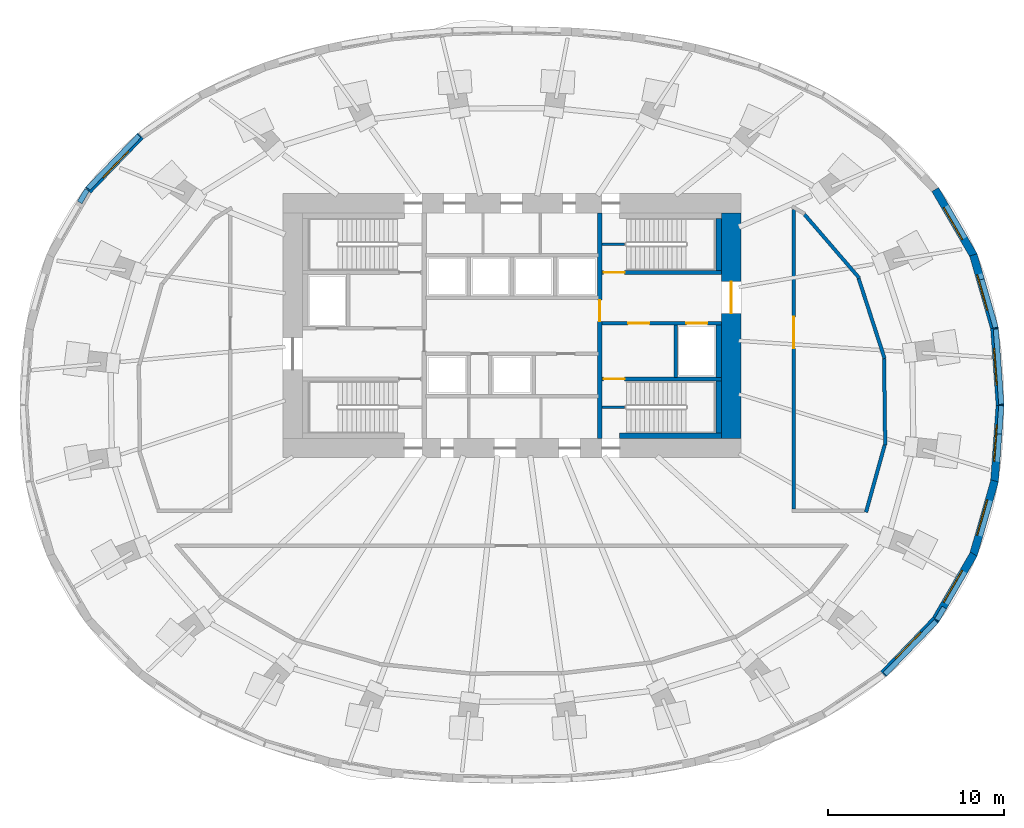
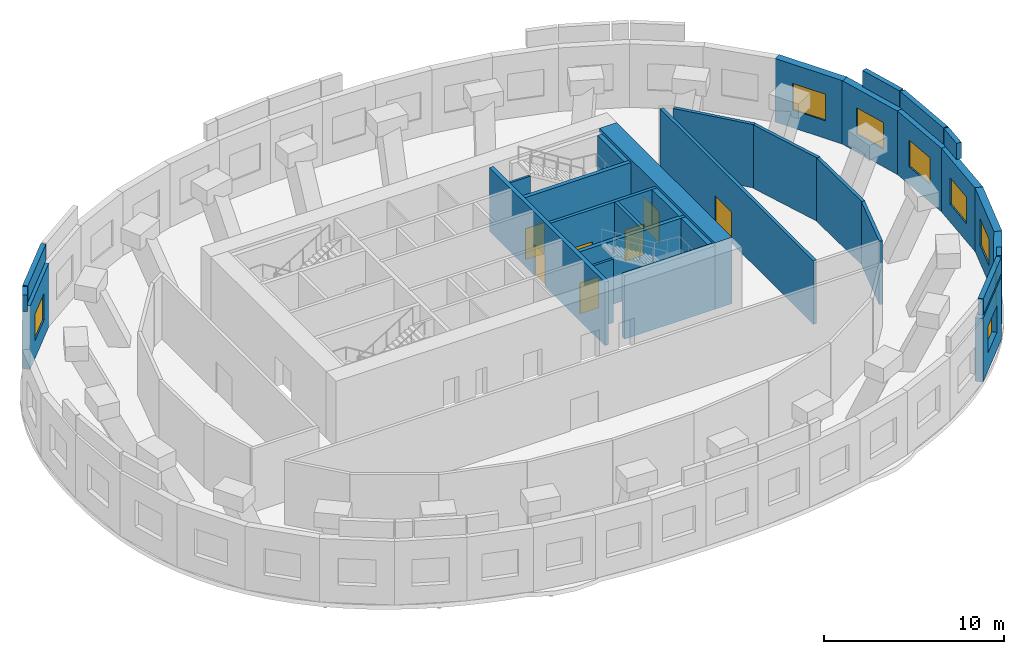
# One storey, part 6 of 9: 32 walls, 8 windows, 7 doors, 15 openings.
"""IFC4 building model written with IfcOpenShell, lengths in metres."""

from ifc_helpers import new_model, si_unit, direction, frame, frame_2d, origin, place, context, subcontext, project, spatial, rectangle, extrude, material, layer, layer_set, type_object, element, fill, save


model = new_model("IFC4")

# Units and contexts
model_context = context("Model", 3, precision=1e-05, world=origin(), true_north=direction((0.0, 1.0)))
body_context = subcontext(model_context, "Body", "Model", "MODEL_VIEW")
ifc_project = project(units=[si_unit("LENGTHUNIT", "METRE"), si_unit("AREAUNIT", "SQUARE_METRE"), si_unit("VOLUMEUNIT", "CUBIC_METRE"), si_unit("PLANEANGLEUNIT", "RADIAN"), si_unit("MASSUNIT", "GRAM", prefix="KILO")], contexts=[model_context])

# Site, building, storey
site_placement = place(None, origin())
site = spatial("IfcSite", under=ifc_project, at=site_placement, CompositionType="ELEMENT")
building_placement = place(site_placement, origin())
building = spatial("IfcBuilding", under=site, at=building_placement, Name="Rubra Terraces Tower", CompositionType="ELEMENT")
storey_placement = place(building_placement, frame((0.0, 0.0, 169.5)))
storey = spatial("IfcBuildingStorey", under=building, at=storey_placement, Name="L41", CompositionType="ELEMENT", Elevation=169.5)

# Wall, opening, window
ifc_material_1 = material(Name="Brick masonry red-brown", Category="masonry")
ifc_layer_1 = layer(ifc_material_1, 0.449951171875)
ifc_layer_set_1 = layer_set([ifc_layer_1], Name="Brick masonry red-brown")
wall_type_1 = type_object("IfcWallType", Name="Brick facade wall 450", PredefinedType="SOLIDWALL", material=ifc_layer_set_1)
wall_1_placement = place(storey_placement, frame((27.7255859375, -0.01611328125, 0.0), z_axis=(0.0, 0.0, 1.0), x_axis=(-0.071768934506, 0.997421285135, 0.0)))
wall_1 = element("IfcWall", 1, at=wall_1_placement, inside=storey, type_object=wall_type_1, Name="Facade wall L41 bay 1", PredefinedType="SOLIDWALL", context=body_context, shape_type="SweptSolid", body=[
    extrude(rectangle(XDim=4.38818359375, YDim=0.449951171875, at=frame_2d((2.194091796875, 0.0))), origin(), (0.0, 0.0, 1.0), 4.300048828125),
])
opening_1_placement = place(wall_1_placement, frame((1.144287109375, 0.0, 1.199951171875)))
opening_1 = element("IfcOpeningElement", 2, at=opening_1_placement, cuts=wall_1, Name="Opening W4", PredefinedType="OPENING", context=body_context, shape_type="SweptSolid", body=[
    extrude(rectangle(XDim=2.10009765625, YDim=1.800048828125, at=frame_2d((1.050048828125, 0.89990234375))), frame((0.0, 0.23486328125, 0.0), z_axis=(0.0, -1.0, 0.0), x_axis=(1.0, 0.0, 0.0)), (0.0, 0.0, 1.0), 0.469970703125),
])
ifc_material_2 = material(Name="Clear glass in aluminium frame", Category="aluminium")
window_type = type_object("IfcWindowType", Name="Louvred plant window 2100 x 1800", PartitioningType="SINGLE_PANEL", PredefinedType="WINDOW", material=ifc_material_2)
window_1_placement = place(opening_1_placement, origin())
window_1 = element("IfcWindow", 3, at=window_1_placement, inside=storey, type_object=window_type, Name="Window L41 bay 1", OverallHeight=1.800048828125, OverallWidth=2.10009765625, PartitioningType="SINGLE_PANEL", PredefinedType="WINDOW", context=body_context, shape_type="SweptSolid", body=[
    extrude(rectangle(XDim=2.10009765625, YDim=1.800048828125, at=frame_2d((1.050048828125, 0.89990234375))), frame((0.0, 0.135009765625, 0.0), z_axis=(0.0, -1.0, 0.0), x_axis=(1.0, 0.0, 0.0)), (0.0, 0.0, 1.0), 0.06005859375),
])
fill(opening_1, window_1)

wall_2_placement = place(storey_placement, frame((27.418701171875, 4.314697265625, 0.0), z_axis=(0.0, 0.0, 1.0), x_axis=(-0.276281679347, 0.961076705397, 0.0)))
wall_2 = element("IfcWall", 4, at=wall_2_placement, inside=storey, type_object=wall_type_1, Name="Facade wall L41 bay 2", PredefinedType="SOLIDWALL", context=body_context, shape_type="SweptSolid", body=[
    extrude(rectangle(XDim=4.37939453125, YDim=0.449951171875, at=frame_2d((2.189697265625, 0.0))), origin(), (0.0, 0.0, 1.0), 4.300048828125),
])
opening_2_placement = place(wall_2_placement, frame((1.1396484375, 0.0, 1.199951171875)))
opening_2 = element("IfcOpeningElement", 5, at=opening_2_placement, cuts=wall_2, Name="Opening W4", PredefinedType="OPENING", context=body_context, shape_type="SweptSolid", body=[
    extrude(rectangle(XDim=2.10009765625, YDim=1.800048828125, at=frame_2d((1.050048828125, 0.89990234375))), frame((0.0, 0.23486328125, 0.0), z_axis=(0.0, -1.0, 0.0), x_axis=(1.0, 0.0, 0.0)), (0.0, 0.0, 1.0), 0.469970703125),
])
window_2_placement = place(opening_2_placement, origin())
window_2 = element("IfcWindow", 6, at=window_2_placement, inside=storey, type_object=window_type, Name="Window L41 bay 2", OverallHeight=1.800048828125, OverallWidth=2.10009765625, PartitioningType="SINGLE_PANEL", PredefinedType="WINDOW", context=body_context, shape_type="SweptSolid", body=[
    extrude(rectangle(XDim=2.10009765625, YDim=1.800048828125, at=frame_2d((1.050048828125, 0.89990234375))), frame((0.0, 0.135009765625, 0.0), z_axis=(0.0, -1.0, 0.0), x_axis=(1.0, 0.0, 0.0)), (0.0, 0.0, 1.0), 0.06005859375),
])
fill(opening_2, window_2)

wall_3_placement = place(storey_placement, frame((26.23046875, 8.472900390625, 0.0), z_axis=(0.0, 0.0, 1.0), x_axis=(-0.502203169453, 0.864749661227, 0.0)))
wall_3 = element("IfcWall", 7, at=wall_3_placement, inside=storey, type_object=wall_type_1, Name="Facade wall L41 bay 3", PredefinedType="SOLIDWALL", context=body_context, shape_type="SweptSolid", body=[
    extrude(rectangle(XDim=4.352783203125, YDim=0.449951171875, at=frame_2d((2.17626953125, 0.0))), origin(), (0.0, 0.0, 1.0), 4.300048828125),
])
opening_3_placement = place(wall_3_placement, frame((1.12646484375, 0.0, 1.199951171875)))
opening_3 = element("IfcOpeningElement", 8, at=opening_3_placement, cuts=wall_3, Name="Opening W4", PredefinedType="OPENING", context=body_context, shape_type="SweptSolid", body=[
    extrude(rectangle(XDim=2.10009765625, YDim=1.800048828125, at=frame_2d((1.050048828125, 0.89990234375))), frame((0.0, 0.23486328125, 0.0), z_axis=(0.0, -1.0, 0.0), x_axis=(1.0, 0.0, 0.0)), (0.0, 0.0, 1.0), 0.469970703125),
])
window_3_placement = place(opening_3_placement, origin())
window_3 = element("IfcWindow", 9, at=window_3_placement, inside=storey, type_object=window_type, Name="Window L41 bay 3", OverallHeight=1.800048828125, OverallWidth=2.10009765625, PartitioningType="SINGLE_PANEL", PredefinedType="WINDOW", context=body_context, shape_type="SweptSolid", body=[
    extrude(rectangle(XDim=2.10009765625, YDim=1.800048828125, at=frame_2d((1.050048828125, 0.89990234375))), frame((0.0, 0.135009765625, 0.0), z_axis=(0.0, -1.0, 0.0), x_axis=(1.0, 0.0, 0.0)), (0.0, 0.0, 1.0), 0.06005859375),
])
fill(opening_3, window_3)

wall_4_placement = place(storey_placement, frame((-21.093994140625, 15.287841796875, 0.0), z_axis=(0.0, 0.0, 1.0), x_axis=(-0.69406513137, -0.719912212298, 0.0)))
wall_4 = element("IfcWall", 10, at=wall_4_placement, inside=storey, type_object=wall_type_1, Name="Facade wall L41 bay 17", PredefinedType="SOLIDWALL", context=body_context, shape_type="SweptSolid", body=[
    extrude(rectangle(XDim=4.2978515625, YDim=0.449951171875, at=frame_2d((2.14892578125, 0.0))), origin(), (0.0, 0.0, 1.0), 4.300048828125),
])
opening_4_placement = place(wall_4_placement, frame((1.098876953125, 0.0, 1.199951171875)))
opening_4 = element("IfcOpeningElement", 11, at=opening_4_placement, cuts=wall_4, Name="Opening W4", PredefinedType="OPENING", context=body_context, shape_type="SweptSolid", body=[
    extrude(rectangle(XDim=2.10009765625, YDim=1.800048828125, at=frame_2d((1.050048828125, 0.89990234375))), frame((0.0, 0.23486328125, 0.0), z_axis=(0.0, -1.0, 0.0), x_axis=(1.0, 0.0, 0.0)), (0.0, 0.0, 1.0), 0.469970703125),
])
window_4_placement = place(opening_4_placement, origin())
window_4 = element("IfcWindow", 12, at=window_4_placement, inside=storey, type_object=window_type, Name="Window L41 bay 17", OverallHeight=1.800048828125, OverallWidth=2.10009765625, PartitioningType="SINGLE_PANEL", PredefinedType="WINDOW", context=body_context, shape_type="SweptSolid", body=[
    extrude(rectangle(XDim=2.10009765625, YDim=1.800048828125, at=frame_2d((1.050048828125, 0.89990234375))), frame((0.0, 0.135009765625, 0.0), z_axis=(0.0, -1.0, 0.0), x_axis=(1.0, 0.0, 0.0)), (0.0, 0.0, 1.0), 0.06005859375),
])
fill(opening_4, window_4)

wall_5_placement = place(storey_placement, frame((21.093994140625, -15.287841796875, 0.0), z_axis=(0.0, 0.0, 1.0), x_axis=(0.69406513137, 0.719912212298, 0.0)))
wall_5 = element("IfcWall", 13, at=wall_5_placement, inside=storey, type_object=wall_type_1, Name="Facade wall L41 bay 37", PredefinedType="SOLIDWALL", context=body_context, shape_type="SweptSolid", body=[
    extrude(rectangle(XDim=4.2978515625, YDim=0.449951171875, at=frame_2d((2.14892578125, 0.0))), origin(), (0.0, 0.0, 1.0), 4.300048828125),
])
opening_5_placement = place(wall_5_placement, frame((1.098876953125, 0.0, 1.199951171875)))
opening_5 = element("IfcOpeningElement", 14, at=opening_5_placement, cuts=wall_5, Name="Opening W4", PredefinedType="OPENING", context=body_context, shape_type="SweptSolid", body=[
    extrude(rectangle(XDim=2.10009765625, YDim=1.800048828125, at=frame_2d((1.050048828125, 0.89990234375))), frame((0.0, 0.23486328125, 0.0), z_axis=(0.0, -1.0, 0.0), x_axis=(1.0, 0.0, 0.0)), (0.0, 0.0, 1.0), 0.469970703125),
])
window_5_placement = place(opening_5_placement, origin())
window_5 = element("IfcWindow", 15, at=window_5_placement, inside=storey, type_object=window_type, Name="Window L41 bay 37", OverallHeight=1.800048828125, OverallWidth=2.10009765625, PartitioningType="SINGLE_PANEL", PredefinedType="WINDOW", context=body_context, shape_type="SweptSolid", body=[
    extrude(rectangle(XDim=2.10009765625, YDim=1.800048828125, at=frame_2d((1.050048828125, 0.89990234375))), frame((0.0, 0.135009765625, 0.0), z_axis=(0.0, -1.0, 0.0), x_axis=(1.0, 0.0, 0.0)), (0.0, 0.0, 1.0), 0.06005859375),
])
fill(opening_5, window_5)

wall_6_placement = place(storey_placement, frame((24.04443359375, -12.237060546875, 0.0), z_axis=(0.0, 0.0, 1.0), x_axis=(0.502203169453, 0.864749661227, 0.0)))
wall_6 = element("IfcWall", 16, at=wall_6_placement, inside=storey, type_object=wall_type_1, Name="Facade wall L41 bay 38", PredefinedType="SOLIDWALL", context=body_context, shape_type="SweptSolid", body=[
    extrude(rectangle(XDim=4.352783203125, YDim=0.449951171875, at=frame_2d((2.17626953125, 0.0))), origin(), (0.0, 0.0, 1.0), 4.300048828125),
])
opening_6_placement = place(wall_6_placement, frame((1.12646484375, 0.0, 1.199951171875)))
opening_6 = element("IfcOpeningElement", 17, at=opening_6_placement, cuts=wall_6, Name="Opening W4", PredefinedType="OPENING", context=body_context, shape_type="SweptSolid", body=[
    extrude(rectangle(XDim=2.10009765625, YDim=1.800048828125, at=frame_2d((1.050048828125, 0.89990234375))), frame((0.0, 0.23486328125, 0.0), z_axis=(0.0, -1.0, 0.0), x_axis=(1.0, 0.0, 0.0)), (0.0, 0.0, 1.0), 0.469970703125),
])
window_6_placement = place(opening_6_placement, origin())
window_6 = element("IfcWindow", 18, at=window_6_placement, inside=storey, type_object=window_type, Name="Window L41 bay 38", OverallHeight=1.800048828125, OverallWidth=2.10009765625, PartitioningType="SINGLE_PANEL", PredefinedType="WINDOW", context=body_context, shape_type="SweptSolid", body=[
    extrude(rectangle(XDim=2.10009765625, YDim=1.800048828125, at=frame_2d((1.050048828125, 0.89990234375))), frame((0.0, 0.135009765625, 0.0), z_axis=(0.0, -1.0, 0.0), x_axis=(1.0, 0.0, 0.0)), (0.0, 0.0, 1.0), 0.06005859375),
])
fill(opening_6, window_6)

wall_7_placement = place(storey_placement, frame((26.208740234375, -8.523681640625, 0.0), z_axis=(0.0, 0.0, 1.0), x_axis=(0.276281679347, 0.961076705397, 0.0)))
wall_7 = element("IfcWall", 19, at=wall_7_placement, inside=storey, type_object=wall_type_1, Name="Facade wall L41 bay 39", PredefinedType="SOLIDWALL", context=body_context, shape_type="SweptSolid", body=[
    extrude(rectangle(XDim=4.37939453125, YDim=0.449951171875, at=frame_2d((2.189697265625, 0.0))), origin(), (0.0, 0.0, 1.0), 4.300048828125),
])
opening_7_placement = place(wall_7_placement, frame((1.1396484375, 0.0, 1.199951171875)))
opening_7 = element("IfcOpeningElement", 20, at=opening_7_placement, cuts=wall_7, Name="Opening W4", PredefinedType="OPENING", context=body_context, shape_type="SweptSolid", body=[
    extrude(rectangle(XDim=2.10009765625, YDim=1.800048828125, at=frame_2d((1.050048828125, 0.89990234375))), frame((0.0, 0.23486328125, 0.0), z_axis=(0.0, -1.0, 0.0), x_axis=(1.0, 0.0, 0.0)), (0.0, 0.0, 1.0), 0.469970703125),
])
window_7_placement = place(opening_7_placement, origin())
window_7 = element("IfcWindow", 21, at=window_7_placement, inside=storey, type_object=window_type, Name="Window L41 bay 39", OverallHeight=1.800048828125, OverallWidth=2.10009765625, PartitioningType="SINGLE_PANEL", PredefinedType="WINDOW", context=body_context, shape_type="SweptSolid", body=[
    extrude(rectangle(XDim=2.10009765625, YDim=1.800048828125, at=frame_2d((1.050048828125, 0.89990234375))), frame((0.0, 0.135009765625, 0.0), z_axis=(0.0, -1.0, 0.0), x_axis=(1.0, 0.0, 0.0)), (0.0, 0.0, 1.0), 0.06005859375),
])
fill(opening_7, window_7)

wall_8_placement = place(storey_placement, frame((27.41064453125, -4.36083984375, 0.0), z_axis=(0.0, 0.0, 1.0), x_axis=(0.071768934506, 0.997421285135, 0.0)))
wall_8 = element("IfcWall", 22, at=wall_8_placement, inside=storey, type_object=wall_type_1, Name="Facade wall L41 bay 40", PredefinedType="SOLIDWALL", context=body_context, shape_type="SweptSolid", body=[
    extrude(rectangle(XDim=4.38818359375, YDim=0.449951171875, at=frame_2d((2.194091796875, 0.0))), origin(), (0.0, 0.0, 1.0), 4.300048828125),
])
opening_8_placement = place(wall_8_placement, frame((1.144287109375, 0.0, 1.199951171875)))
opening_8 = element("IfcOpeningElement", 23, at=opening_8_placement, cuts=wall_8, Name="Opening W4", PredefinedType="OPENING", context=body_context, shape_type="SweptSolid", body=[
    extrude(rectangle(XDim=2.10009765625, YDim=1.800048828125, at=frame_2d((1.050048828125, 0.89990234375))), frame((0.0, 0.23486328125, 0.0), z_axis=(0.0, -1.0, 0.0), x_axis=(1.0, 0.0, 0.0)), (0.0, 0.0, 1.0), 0.469970703125),
])
window_8_placement = place(opening_8_placement, origin())
window_8 = element("IfcWindow", 24, at=window_8_placement, inside=storey, type_object=window_type, Name="Window L41 bay 40", OverallHeight=1.800048828125, OverallWidth=2.10009765625, PartitioningType="SINGLE_PANEL", PredefinedType="WINDOW", context=body_context, shape_type="SweptSolid", body=[
    extrude(rectangle(XDim=2.10009765625, YDim=1.800048828125, at=frame_2d((1.050048828125, 0.89990234375))), frame((0.0, 0.135009765625, 0.0), z_axis=(0.0, -1.0, 0.0), x_axis=(1.0, 0.0, 0.0)), (0.0, 0.0, 1.0), 0.06005859375),
])
fill(opening_8, window_8)

# Walls
ifc_layer_2 = layer(ifc_material_1, 0.300048828125)
ifc_layer_set_2 = layer_set([ifc_layer_2], Name="Brick masonry red-brown")
wall_type_2 = type_object("IfcWallType", Name="Brick parapet 300", PredefinedType="PARAPET", material=ifc_layer_set_2)
wall_9_placement = place(storey_placement, frame((27.796630859375, 0.040771484375, 4.5), z_axis=(0.0, 0.0, 1.0), x_axis=(-0.071782738279, 0.997420291795, 0.0)))
element("IfcWall", 25, at=wall_9_placement, inside=storey, type_object=wall_type_2, Name="Parapet L41 bay 1", PredefinedType="PARAPET", context=body_context, shape_type="SweptSolid", body=[
    extrude(rectangle(XDim=4.275146484375, YDim=0.300048828125, at=frame_2d((2.1376953125, 0.0))), origin(), (0.0, 0.0, 1.0), 1.10009765625),
])
wall_10_placement = place(storey_placement, frame((27.473876953125, 4.39453125, 4.5), z_axis=(0.0, 0.0, 1.0), x_axis=(-0.276261858421, 0.961082403117, 0.0)))
element("IfcWall", 26, at=wall_10_placement, inside=storey, type_object=wall_type_2, Name="Parapet L41 bay 2", PredefinedType="PARAPET", context=body_context, shape_type="SweptSolid", body=[
    extrude(rectangle(XDim=2.845703125, YDim=0.300048828125, at=frame_2d((1.4228515625, 0.0))), origin(), (0.0, 0.0, 1.0), 1.10009765625),
])
wall_11_placement = place(storey_placement, frame((-21.19091796875, 15.29541015625, 4.5), z_axis=(0.0, 0.0, 1.0), x_axis=(-0.694078138428, -0.719899672007, 0.0)))
element("IfcWall", 27, at=wall_11_placement, inside=storey, type_object=wall_type_2, Name="Parapet L41 bay 17", PredefinedType="PARAPET", context=body_context, shape_type="SweptSolid", body=[
    extrude(rectangle(XDim=4.169677734375, YDim=0.300048828125, at=frame_2d((2.0849609375, 0.0))), origin(), (0.0, 0.0, 1.0), 1.10009765625),
])
wall_12_placement = place(storey_placement, frame((-24.142578125, 12.21728515625, 4.5), z_axis=(0.0, 0.0, 1.0), x_axis=(-0.502429370966, -0.86461825518, 0.0)))
element("IfcWall", 28, at=wall_12_placement, inside=storey, type_object=wall_type_2, Name="Parapet L41 bay 18", PredefinedType="PARAPET", context=body_context, shape_type="SweptSolid", body=[
    extrude(rectangle(XDim=0.82177734375, YDim=0.300048828125, at=frame_2d((0.410888671875, 0.0))), origin(), (0.0, 0.0, 1.0), 1.10009765625),
])
wall_13_placement = place(storey_placement, frame((21.19091796875, -15.29541015625, 4.5), z_axis=(0.0, 0.0, 1.0), x_axis=(0.694078138428, 0.719899672007, 0.0)))
element("IfcWall", 29, at=wall_13_placement, inside=storey, type_object=wall_type_2, Name="Parapet L41 bay 37", PredefinedType="PARAPET", context=body_context, shape_type="SweptSolid", body=[
    extrude(rectangle(XDim=4.169677734375, YDim=0.300048828125, at=frame_2d((2.0849609375, 0.0))), origin(), (0.0, 0.0, 1.0), 1.10009765625),
])
wall_14_placement = place(storey_placement, frame((24.142578125, -12.21728515625, 4.5), z_axis=(0.0, 0.0, 1.0), x_axis=(0.502429370966, 0.86461825518, 0.0)))
element("IfcWall", 30, at=wall_14_placement, inside=storey, type_object=wall_type_2, Name="Parapet L41 bay 38", PredefinedType="PARAPET", context=body_context, shape_type="SweptSolid", body=[
    extrude(rectangle(XDim=0.82177734375, YDim=0.300048828125, at=frame_2d((0.410888671875, 0.0))), origin(), (0.0, 0.0, 1.0), 1.10009765625),
])
wall_15_placement = place(storey_placement, frame((27.680908203125, -1.64990234375, 4.5), z_axis=(0.0, 0.0, 1.0), x_axis=(0.071730994207, 0.997424014384, 0.0)))
element("IfcWall", 31, at=wall_15_placement, inside=storey, type_object=wall_type_2, Name="Parapet L41 bay 40", PredefinedType="PARAPET", context=body_context, shape_type="SweptSolid", body=[
    extrude(rectangle(XDim=1.61328125, YDim=0.300048828125, at=frame_2d((0.806640625, 0.0))), origin(), (0.0, 0.0, 1.0), 1.10009765625),
])

# Wall, opening, door
ifc_material_3 = material(Name="Concrete C60", Category="concrete")
ifc_layer_3 = layer(ifc_material_3, 1.10009765625)
ifc_layer_set_3 = layer_set([ifc_layer_3], Name="Concrete C60")
wall_type_3 = type_object("IfcWallType", Name="CORE WALL 1100 C60", PredefinedType="SHEAR", material=ifc_layer_set_3)
wall_16_placement = place(storey_placement, frame((12.449951171875, -1.89990234375, 0.0), z_axis=(0.0, 0.0, 1.0), x_axis=(0.0, 1.0, 0.0)))
wall_16 = element("IfcWall", 32, at=wall_16_placement, inside=storey, type_object=wall_type_3, Name="CORE WALL E L41", PredefinedType="SHEAR", context=body_context, shape_type="SweptSolid", body=[
    extrude(rectangle(XDim=12.7998046875, YDim=1.10009765625, at=frame_2d((6.39990234375, 0.0))), origin(), (0.0, 0.0, 1.0), 4.5),
])
opening_9_placement = place(wall_16_placement, frame((7.10009765625, 0.0, 0.0)))
opening_9 = element("IfcOpeningElement", 33, at=opening_9_placement, cuts=wall_16, Name="Opening L41.C02", PredefinedType="OPENING", context=body_context, shape_type="SweptSolid", body=[
    extrude(rectangle(XDim=1.800048828125, YDim=2.10009765625, at=frame_2d((0.89990234375, 1.050048828125))), frame((0.0, 0.56005859375, 0.0), z_axis=(0.0, -1.0, 0.0), x_axis=(1.0, 0.0, 0.0)), (0.0, 0.0, 1.0), 1.1201171875),
])
ifc_material_4 = material(Name="Painted steel", Category="steel")
door_type_1 = type_object("IfcDoorType", Name="Fire door 1800x2100 double", OperationType="NOTDEFINED", PredefinedType="DOOR", material=ifc_material_4)
door_1_placement = place(opening_9_placement, origin())
door_1 = element("IfcDoor", 34, at=door_1_placement, inside=storey, type_object=door_type_1, Name="Core entrance door FF2", OperationType="DOUBLE_DOOR_SINGLE_SWING", OverallHeight=2.10009765625, OverallWidth=1.800048828125, PredefinedType="DOOR", context=body_context, shape_type="SweptSolid", body=[
    extrude(rectangle(XDim=1.800048828125, YDim=2.10009765625, at=frame_2d((0.89990234375, 1.050048828125))), frame((0.0, 0.02490234375, 0.0), z_axis=(0.0, -1.0, 0.0), x_axis=(1.0, 0.0, 0.0)), (0.0, 0.0, 1.0), 0.050048828125),
])
fill(opening_9, door_1)

# Walls
ifc_material_5 = material(Name="Concrete C40", Category="concrete")
ifc_layer_4 = layer(ifc_material_5, 0.300048828125)
ifc_layer_set_4 = layer_set([ifc_layer_4], Name="Concrete C40")
wall_type_4 = type_object("IfcWallType", Name="Core lining wall 300 concrete", PredefinedType="SOLIDWALL", material=ifc_layer_set_4)
wall_17_placement = place(storey_placement, frame((11.75, 10.60009765625, 0.0), z_axis=(0.0, 0.0, 1.0), x_axis=(0.0, -1.0, 0.0)))
element("IfcWall", 35, at=wall_17_placement, inside=storey, type_object=wall_type_4, Name="CORE LINING WALL L41", PredefinedType="SOLIDWALL", context=body_context, shape_type="SweptSolid", body=[
    extrude(rectangle(XDim=2.9501953125, YDim=0.300048828125, at=frame_2d((1.47509765625, 0.0))), origin(), (0.0, 0.0, 1.0), 4.300048828125),
])
wall_18_placement = place(storey_placement, frame((11.75, 4.550048828125, 0.0), z_axis=(0.0, 0.0, 1.0), x_axis=(0.0, -1.0, 0.0)))
element("IfcWall", 36, at=wall_18_placement, inside=storey, type_object=wall_type_4, Name="CORE LINING WALL L41", PredefinedType="SOLIDWALL", context=body_context, shape_type="SweptSolid", body=[
    extrude(rectangle(XDim=3.0, YDim=0.300048828125, at=frame_2d((1.5, 0.0))), origin(), (0.0, 0.0, 1.0), 4.300048828125),
])
wall_19_placement = place(storey_placement, frame((11.75, 1.35009765625, 0.0), z_axis=(0.0, 0.0, 1.0), x_axis=(0.0, -1.0, 0.0)))
element("IfcWall", 37, at=wall_19_placement, inside=storey, type_object=wall_type_4, Name="CORE LINING WALL L41", PredefinedType="SOLIDWALL", context=body_context, shape_type="SweptSolid", body=[
    extrude(rectangle(XDim=2.9501953125, YDim=0.300048828125, at=frame_2d((1.47509765625, 0.0))), origin(), (0.0, 0.0, 1.0), 4.300048828125),
])
wall_20_placement = place(storey_placement, frame((11.89990234375, -1.75, 0.0), z_axis=(0.0, 0.0, 1.0), x_axis=(-1.0, 0.0, 0.0)))
element("IfcWall", 38, at=wall_20_placement, inside=storey, type_object=wall_type_4, Name="CORE LINING WALL L41", PredefinedType="SOLIDWALL", context=body_context, shape_type="SweptSolid", body=[
    extrude(rectangle(XDim=5.77978515625, YDim=0.300048828125, at=frame_2d((2.889892578125, 0.0))), origin(), (0.0, 0.0, 1.0), 4.300048828125),
])

# Wall, openings, doors
ifc_material_6 = material(Name="Concrete C30", Category="concrete")
ifc_layer_5 = layer(ifc_material_6, 0.199951171875)
ifc_layer_set_5 = layer_set([ifc_layer_5], Name="Concrete C30")
wall_type_5 = type_object("IfcWallType", Name="Core wall 200 concrete", PredefinedType="SOLIDWALL", material=ifc_layer_set_5)
wall_21_placement = place(storey_placement, frame((11.89990234375, 4.64990234375, 0.0), z_axis=(0.0, 0.0, 1.0), x_axis=(-1.0, 0.0, 0.0)))
wall_21 = element("IfcWall", 39, at=wall_21_placement, inside=storey, type_object=wall_type_5, Name="STAIR WALL L41", PredefinedType="SOLIDWALL", context=body_context, shape_type="SweptSolid", body=[
    extrude(rectangle(XDim=6.7998046875, YDim=0.199951171875, at=frame_2d((3.39990234375, 0.0))), origin(), (0.0, 0.0, 1.0), 4.300048828125),
])
opening_10_placement = place(wall_21_placement, frame((4.10009765625, 0.0, 0.0)))
opening_10 = element("IfcOpeningElement", 40, at=opening_10_placement, cuts=wall_21, Name="Opening L41.C06", PredefinedType="OPENING", context=body_context, shape_type="SweptSolid", body=[
    extrude(rectangle(XDim=1.199951171875, YDim=2.10009765625, at=frame_2d((0.60009765625, 1.050048828125))), frame((0.0, 0.10986328125, 0.0), z_axis=(0.0, -1.0, 0.0), x_axis=(1.0, 0.0, 0.0)), (0.0, 0.0, 1.0), 0.219970703125),
])
opening_11_placement = place(wall_21_placement, frame((0.800048828125, 0.0, 0.0)))
opening_11 = element("IfcOpeningElement", 41, at=opening_11_placement, cuts=wall_21, Name="Opening L41.C12", PredefinedType="OPENING", context=body_context, shape_type="SweptSolid", body=[
    extrude(rectangle(XDim=1.199951171875, YDim=2.10009765625, at=frame_2d((0.60009765625, 1.050048828125))), frame((0.0, 0.10986328125, 0.0), z_axis=(0.0, -1.0, 0.0), x_axis=(1.0, 0.0, 0.0)), (0.0, 0.0, 1.0), 0.219970703125),
])
door_type_2 = type_object("IfcDoorType", Name="Fire door 1200x2100 single", OperationType="NOTDEFINED", PredefinedType="DOOR", material=ifc_material_4)
door_2_placement = place(opening_10_placement, origin())
door_2 = element("IfcDoor", 42, at=door_2_placement, inside=storey, type_object=door_type_2, Name="Stair vestibule door S4", OperationType="SINGLE_SWING_RIGHT", OverallHeight=2.10009765625, OverallWidth=1.199951171875, PredefinedType="DOOR", context=body_context, shape_type="SweptSolid", body=[
    extrude(rectangle(XDim=1.199951171875, YDim=2.10009765625, at=frame_2d((0.60009765625, 1.050048828125))), frame((0.0, 0.02490234375, 0.0), z_axis=(0.0, -1.0, 0.0), x_axis=(1.0, 0.0, 0.0)), (0.0, 0.0, 1.0), 0.050048828125),
])
fill(opening_10, door_2)
ifc_material_7 = material(Name="Stainless steel", Category="steel")
door_type_3 = type_object("IfcDoorType", Name="Lift landing door 1200x2100", OperationType="NOTDEFINED", PredefinedType="DOOR", material=ifc_material_7)
door_3_placement = place(opening_11_placement, origin())
door_3 = element("IfcDoor", 43, at=door_3_placement, inside=storey, type_object=door_type_3, Name="Landing door FF2", OperationType="SLIDING_TO_RIGHT", OverallHeight=2.10009765625, OverallWidth=1.199951171875, PredefinedType="DOOR", context=body_context, shape_type="SweptSolid", body=[
    extrude(rectangle(XDim=1.199951171875, YDim=2.10009765625, at=frame_2d((0.60009765625, 1.050048828125))), frame((0.0, 0.02490234375, 0.0), z_axis=(0.0, -1.0, 0.0), x_axis=(1.0, 0.0, 0.0)), (0.0, 0.0, 1.0), 0.050048828125),
])
fill(opening_11, door_3)

# Walls
wall_22_placement = place(storey_placement, frame((9.300048828125, 4.550048828125, 0.0), z_axis=(0.0, 0.0, 1.0), x_axis=(0.0, -1.0, 0.0)))
element("IfcWall", 44, at=wall_22_placement, inside=storey, type_object=wall_type_5, Name="STAIR WALL L41", PredefinedType="SOLIDWALL", context=body_context, shape_type="SweptSolid", body=[
    extrude(rectangle(XDim=3.0, YDim=0.199951171875, at=frame_2d((1.5, 0.0))), origin(), (0.0, 0.0, 1.0), 4.300048828125),
])
ifc_material_8 = material(Name="Blockwork", Category="masonry")
ifc_layer_6 = layer(ifc_material_8, 0.199951171875)
ifc_layer_set_6 = layer_set([ifc_layer_6], Name="Blockwork")
wall_type_6 = type_object("IfcWallType", Name="Corridor partition 200 blockwork", PredefinedType="PARTITIONING", material=ifc_layer_set_6)
wall_23_placement = place(storey_placement, frame((16.614013671875, 10.823974609375, 0.0), z_axis=(0.0, 0.0, 1.0), x_axis=(0.652570543166, -0.757727976382, 0.0)))
element("IfcWall", 45, at=wall_23_placement, inside=storey, type_object=wall_type_6, Name="Partition wall", PredefinedType="PARTITIONING", context=body_context, shape_type="SweptSolid", body=[
    extrude(rectangle(XDim=4.76416015625, YDim=0.199951171875, at=frame_2d((2.382080078125, 0.0))), origin(), (0.0, 0.0, 1.0), 4.300048828125),
])
wall_24_placement = place(storey_placement, frame((19.68896484375, 7.195068359375, 0.0), z_axis=(0.0, 0.0, 1.0), x_axis=(0.308517152125, -0.951218779695, 0.0)))
element("IfcWall", 46, at=wall_24_placement, inside=storey, type_object=wall_type_6, Name="Partition wall", PredefinedType="PARTITIONING", context=body_context, shape_type="SweptSolid", body=[
    extrude(rectangle(XDim=4.7939453125, YDim=0.199951171875, at=frame_2d((2.39697265625, 0.0))), origin(), (0.0, 0.0, 1.0), 4.300048828125),
])
wall_25_placement = place(storey_placement, frame((21.137939453125, 2.6298828125, 0.0), z_axis=(0.0, 0.0, 1.0), x_axis=(0.012626385888, -0.999920284012, 0.0)))
element("IfcWall", 47, at=wall_25_placement, inside=storey, type_object=wall_type_6, Name="Partition wall", PredefinedType="PARTITIONING", context=body_context, shape_type="SweptSolid", body=[
    extrude(rectangle(XDim=4.911376953125, YDim=0.199951171875, at=frame_2d((2.45556640625, 0.0))), origin(), (0.0, 0.0, 1.0), 4.300048828125),
])
wall_26_placement = place(storey_placement, frame((21.172119140625, -2.277099609375, 0.0), z_axis=(0.0, 0.0, 1.0), x_axis=(-0.267701048026, -0.963502023291, 0.0)))
element("IfcWall", 48, at=wall_26_placement, inside=storey, type_object=wall_type_6, Name="Partition wall", PredefinedType="PARTITIONING", context=body_context, shape_type="SweptSolid", body=[
    extrude(rectangle(XDim=3.963623046875, YDim=0.199951171875, at=frame_2d((1.98193359375, 0.0))), origin(), (0.0, 0.0, 1.0), 4.300048828125),
])

# Wall, opening, door
wall_27_placement = place(storey_placement, frame((16.0, -5.89990234375, 0.0), z_axis=(0.0, 0.0, 1.0), x_axis=(0.0, 1.0, 0.0)))
wall_27 = element("IfcWall", 49, at=wall_27_placement, inside=storey, type_object=wall_type_6, Name="Partition wall", PredefinedType="PARTITIONING", context=body_context, shape_type="SweptSolid", body=[
    extrude(rectangle(XDim=17.016845703125, YDim=0.199951171875, at=frame_2d((8.50830078125, 0.0))), origin(), (0.0, 0.0, 1.0), 4.300048828125),
])
opening_12_placement = place(wall_27_placement, frame((9.10791015625, 0.0, 0.0)))
opening_12 = element("IfcOpeningElement", 50, at=opening_12_placement, cuts=wall_27, Name="Opening DB3", PredefinedType="OPENING", context=body_context, shape_type="SweptSolid", body=[
    extrude(rectangle(XDim=1.800048828125, YDim=2.10009765625, at=frame_2d((0.89990234375, 1.050048828125))), frame((0.0, 0.10986328125, 0.0), z_axis=(0.0, -1.0, 0.0), x_axis=(1.0, 0.0, 0.0)), (0.0, 0.0, 1.0), 0.219970703125),
])
door_type_4 = type_object("IfcDoorType", Name="Door 1800x2100 double", OperationType="NOTDEFINED", PredefinedType="DOOR", material=ifc_material_4)
door_4_placement = place(opening_12_placement, origin())
door_4 = element("IfcDoor", 51, at=door_4_placement, inside=storey, type_object=door_type_4, Name="Refuge area door L41-03", OperationType="DOUBLE_DOOR_SINGLE_SWING", OverallHeight=2.10009765625, OverallWidth=1.800048828125, PredefinedType="DOOR", context=body_context, shape_type="SweptSolid", body=[
    extrude(rectangle(XDim=1.800048828125, YDim=2.10009765625, at=frame_2d((0.89990234375, 1.050048828125))), frame((0.0, 0.02490234375, 0.0), z_axis=(0.0, -1.0, 0.0), x_axis=(1.0, 0.0, 0.0)), (0.0, 0.0, 1.0), 0.050048828125),
])
fill(opening_12, door_4)

ifc_layer_7 = layer(ifc_material_5, 0.25)
ifc_layer_set_7 = layer_set([ifc_layer_7], Name="Concrete C40")
wall_type_7 = type_object("IfcWallType", Name="Stair enclosure wall 250 concrete", PredefinedType="SOLIDWALL", material=ifc_layer_set_7)
wall_28_placement = place(storey_placement, frame((11.89990234375, 7.52490234375, 0.0), z_axis=(0.0, 0.0, 1.0), x_axis=(-1.0, 0.0, 0.0)))
wall_28 = element("IfcWall", 52, at=wall_28_placement, inside=storey, type_object=wall_type_7, Name="STAIR WALL L41", PredefinedType="SOLIDWALL", context=body_context, shape_type="SweptSolid", body=[
    extrude(rectangle(XDim=6.7998046875, YDim=0.25, at=frame_2d((3.39990234375, 0.0))), origin(), (0.0, 0.0, 1.0), 4.300048828125),
])
opening_13_placement = place(wall_28_placement, frame((5.5, 0.0, 0.0)))
opening_13 = element("IfcOpeningElement", 53, at=opening_13_placement, cuts=wall_28, Name="Opening L41.C08", PredefinedType="OPENING", context=body_context, shape_type="SweptSolid", body=[
    extrude(rectangle(XDim=1.199951171875, YDim=2.10009765625, at=frame_2d((0.60009765625, 1.050048828125))), frame((0.0, 0.135009765625, 0.0), z_axis=(0.0, -1.0, 0.0), x_axis=(1.0, 0.0, 0.0)), (0.0, 0.0, 1.0), 0.27001953125),
])
door_5_placement = place(opening_13_placement, origin())
door_5 = element("IfcDoor", 54, at=door_5_placement, inside=storey, type_object=door_type_2, Name="Stair door S3", OperationType="SINGLE_SWING_RIGHT", OverallHeight=2.10009765625, OverallWidth=1.199951171875, PredefinedType="DOOR", context=body_context, shape_type="SweptSolid", body=[
    extrude(rectangle(XDim=1.199951171875, YDim=2.10009765625, at=frame_2d((0.60009765625, 1.050048828125))), frame((0.0, 0.02490234375, 0.0), z_axis=(0.0, -1.0, 0.0), x_axis=(1.0, 0.0, 0.0)), (0.0, 0.0, 1.0), 0.050048828125),
])
fill(opening_13, door_5)

wall_29_placement = place(storey_placement, frame((11.89990234375, 1.47509765625, 0.0), z_axis=(0.0, 0.0, 1.0), x_axis=(-1.0, 0.0, 0.0)))
wall_29 = element("IfcWall", 55, at=wall_29_placement, inside=storey, type_object=wall_type_7, Name="STAIR WALL L41", PredefinedType="SOLIDWALL", context=body_context, shape_type="SweptSolid", body=[
    extrude(rectangle(XDim=6.7998046875, YDim=0.25, at=frame_2d((3.39990234375, 0.0))), origin(), (0.0, 0.0, 1.0), 4.300048828125),
])
opening_14_placement = place(wall_29_placement, frame((5.5, 0.0, 0.0)))
opening_14 = element("IfcOpeningElement", 56, at=opening_14_placement, cuts=wall_29, Name="Opening L41.C10", PredefinedType="OPENING", context=body_context, shape_type="SweptSolid", body=[
    extrude(rectangle(XDim=1.199951171875, YDim=2.10009765625, at=frame_2d((0.60009765625, 1.050048828125))), frame((0.0, 0.135009765625, 0.0), z_axis=(0.0, -1.0, 0.0), x_axis=(1.0, 0.0, 0.0)), (0.0, 0.0, 1.0), 0.27001953125),
])
door_6_placement = place(opening_14_placement, origin())
door_6 = element("IfcDoor", 57, at=door_6_placement, inside=storey, type_object=door_type_2, Name="Stair door S4", OperationType="SINGLE_SWING_RIGHT", OverallHeight=2.10009765625, OverallWidth=1.199951171875, PredefinedType="DOOR", context=body_context, shape_type="SweptSolid", body=[
    extrude(rectangle(XDim=1.199951171875, YDim=2.10009765625, at=frame_2d((0.60009765625, 1.050048828125))), frame((0.0, 0.02490234375, 0.0), z_axis=(0.0, -1.0, 0.0), x_axis=(1.0, 0.0, 0.0)), (0.0, 0.0, 1.0), 0.050048828125),
])
fill(opening_14, door_6)

wall_30_placement = place(storey_placement, frame((4.97509765625, 10.89990234375, 0.0), z_axis=(0.0, 0.0, 1.0), x_axis=(0.0, -1.0, 0.0)))
wall_30 = element("IfcWall", 58, at=wall_30_placement, inside=storey, type_object=wall_type_7, Name="CORE LOBBY WALL L41", PredefinedType="SOLIDWALL", context=body_context, shape_type="SweptSolid", body=[
    extrude(rectangle(XDim=12.7998046875, YDim=0.25, at=frame_2d((6.39990234375, 0.0))), origin(), (0.0, 0.0, 1.0), 4.300048828125),
])
opening_15_placement = place(wall_30_placement, frame((4.949951171875, 0.0, 0.0)))
opening_15 = element("IfcOpeningElement", 59, at=opening_15_placement, cuts=wall_30, Name="Opening L41.C04", PredefinedType="OPENING", context=body_context, shape_type="SweptSolid", body=[
    extrude(rectangle(XDim=1.199951171875, YDim=2.10009765625, at=frame_2d((0.60009765625, 1.050048828125))), frame((0.0, 0.135009765625, 0.0), z_axis=(0.0, -1.0, 0.0), x_axis=(1.0, 0.0, 0.0)), (0.0, 0.0, 1.0), 0.27001953125),
])
door_7_placement = place(opening_15_placement, origin())
door_7 = element("IfcDoor", 60, at=door_7_placement, inside=storey, type_object=door_type_2, Name="Firefighting lobby door FF2", OperationType="SINGLE_SWING_RIGHT", OverallHeight=2.10009765625, OverallWidth=1.199951171875, PredefinedType="DOOR", context=body_context, shape_type="SweptSolid", body=[
    extrude(rectangle(XDim=1.199951171875, YDim=2.10009765625, at=frame_2d((0.60009765625, 1.050048828125))), frame((0.0, 0.02490234375, 0.0), z_axis=(0.0, -1.0, 0.0), x_axis=(1.0, 0.0, 0.0)), (0.0, 0.0, 1.0), 0.050048828125),
])
fill(opening_15, door_7)

# Walls
ifc_layer_8 = layer(ifc_material_5, 0.14990234375)
ifc_layer_set_8 = layer_set([ifc_layer_8], Name="Concrete C40")
wall_type_8 = type_object("IfcWallType", Name="Stair separation wall 150 concrete", PredefinedType="SOLIDWALL", material=ifc_layer_set_8)
for number, where, z_axis, x_axis, name in (
    (61, (6.39990234375, 9.125, 0.0), (0.0, 0.0, 1.0), (-1.0, 0.0, 0.0), "STAIR SEPARATION WALL L41"),
    (62, (6.39990234375, -0.125, 0.0), (0.0, 0.0, 1.0), (-1.0, 0.0, 0.0), "STAIR SEPARATION WALL L41"),
):
    element("IfcWall", number, at=place(storey_placement, frame(where, z_axis=z_axis, x_axis=x_axis)), inside=storey, type_object=wall_type_8, Name=name, PredefinedType="SOLIDWALL", context=body_context, shape_type="SweptSolid", body=[
        extrude(rectangle(XDim=1.2998046875, YDim=0.14990234375, at=frame_2d((0.64990234375, 0.0))), origin(), (0.0, 0.0, 1.0), 4.300048828125),
    ])

save(model, "model.ifc")
